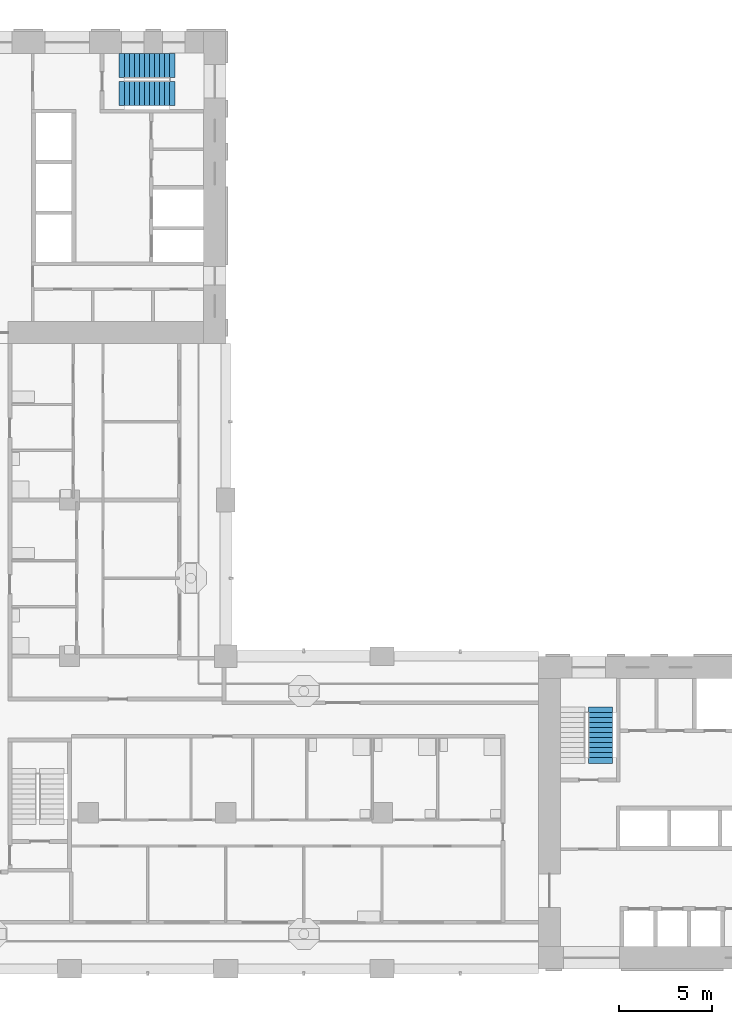
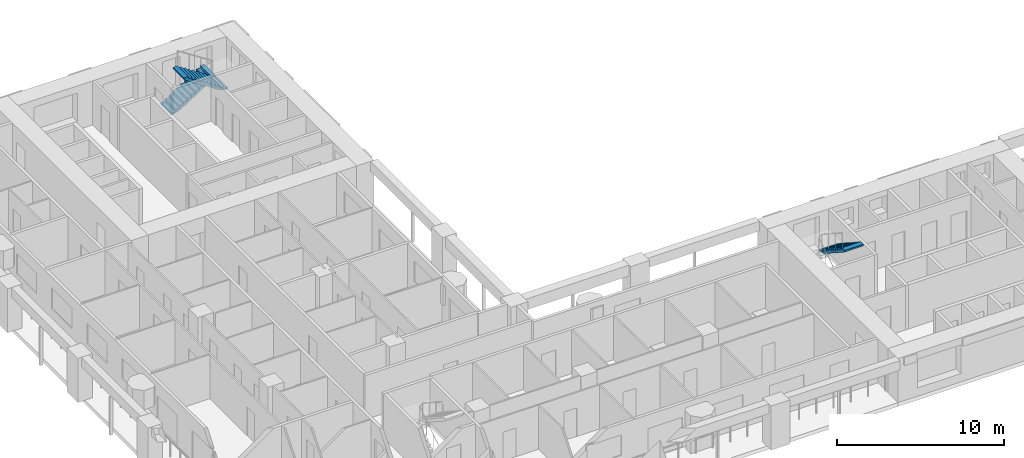
# One storey, part 9 of 19: 3 stair flights, 2 elements without a shape of their own.
"""IFC4 building model written with IfcOpenShell, lengths in metres."""

import ifcopenshell
import ifcopenshell.guid

model = None  # the IFC model being written
_history = None  # IfcOwnerHistory: only IFC2X3 demands one
_inside = {}  # id of a spatial element -> (the spatial element, [elements in it])
_under = {}  # id of a project, library or spatial element -> (it, [spatial elements below it])
_declared = {}  # id of a project -> (the project, [libraries it declares])
_typed = {}  # id of a type object -> (the type object, [elements of that type])
_made_of = {}  # id of a material, layer set ... -> (it, [elements and type objects made of it])


def new_model(schema):
    """Start an empty IFC model of exactly this schema.

    Asked for "IFC4X3", IfcOpenShell would pick the latest addendum, in which some entities
    have other attributes; the version numbers below select the first issue.
    IFC2X3 requires an IfcOwnerHistory on every rooted entity: one is made here for all.
    """
    global model, _history
    if schema == "IFC4X3":
        model = ifcopenshell.file(schema_version=(4, 3, 0, 0))
    else:
        model = ifcopenshell.file(schema=schema)
    _inside.clear()
    _under.clear()
    _declared.clear()
    _typed.clear()
    _made_of.clear()
    _history = None
    if model.schema == "IFC2X3":
        org = make("IfcOrganization", Name="unknown")
        user = make(
            "IfcPersonAndOrganization",
            ThePerson=make("IfcPerson", FamilyName="unknown"),
            TheOrganization=org,
        )
        app = make(
            "IfcApplication",
            ApplicationDeveloper=org,
            Version="unknown",
            ApplicationFullName="unknown",
            ApplicationIdentifier="unknown",
        )
        _history = make(
            "IfcOwnerHistory",
            OwningUser=user,
            OwningApplication=app,
            ChangeAction="ADDED",
            CreationDate=0,
        )
    return model


def make(cls, **values):
    """One entity of the class cls with the attributes given. An attribute that is None is left unset."""
    return model.create_entity(
        cls, **{name: value for name, value in values.items() if value is not None}
    )


def rooted(cls, **values):
    """An entity with a GlobalId (a new one), such as an element, a storey or a relation."""
    return make(cls, GlobalId=ifcopenshell.guid.new(), OwnerHistory=_history, **values)


def si_unit(unit_type, name, prefix=None):
    """IfcSIUnit, for example si_unit("LENGTHUNIT", "METRE", prefix="MILLI")."""
    return make("IfcSIUnit", UnitType=unit_type, Prefix=prefix, Name=name)


def assignment(units):
    """IfcUnitAssignment: the units of a project."""
    return None if units is None else make("IfcUnitAssignment", Units=units)


def point(xyz):
    """IfcCartesianPoint."""
    return None if xyz is None else make("IfcCartesianPoint", Coordinates=xyz)


def direction(xyz):
    """IfcDirection."""
    return None if xyz is None else make("IfcDirection", DirectionRatios=xyz)


def frame(location, z_axis=None, x_axis=None):
    """IfcAxis2Placement3D, a coordinate frame: its origin and axes. An axis left out is left unset."""
    return make(
        "IfcAxis2Placement3D",
        Location=point(location),
        Axis=direction(z_axis),
        RefDirection=direction(x_axis),
    )


def origin():
    """The frame at (0, 0, 0) with its axes left unset."""
    return frame((0.0, 0.0, 0.0))


def place(relative_to, where):
    """IfcLocalPlacement: puts the frame where relative to a parent placement (None: the world)."""
    return make(
        "IfcLocalPlacement", PlacementRelTo=relative_to, RelativePlacement=where
    )


def context(
    kind, dimensions, precision=None, world=None, true_north=None, identifier=None
):
    """IfcGeometricRepresentationContext, for example the 3D "Model" context."""
    return make(
        "IfcGeometricRepresentationContext",
        ContextIdentifier=identifier,
        ContextType=kind,
        CoordinateSpaceDimension=dimensions,
        Precision=precision,
        WorldCoordinateSystem=world,
        TrueNorth=true_north,
    )


def subcontext(parent, identifier, kind, view, scale=None):
    """IfcGeometricRepresentationSubContext, for example "Body" below "Model"."""
    return make(
        "IfcGeometricRepresentationSubContext",
        ContextIdentifier=identifier,
        ContextType=kind,
        ParentContext=parent,
        TargetScale=scale,
        TargetView=view,
    )


def project(units=None, contexts=None):
    """IfcProject with its units and contexts."""
    return rooted(
        "IfcProject",
        Name="project",
        RepresentationContexts=contexts,
        UnitsInContext=assignment(units),
    )


def spatial(cls, under=None, at=None, **own):
    """A site, building, storey or space (cls), placed at a placement, below another one or the project."""
    s = rooted(cls, ObjectPlacement=at, **own)
    if under is not None:
        _under.setdefault(under.id(), (under, []))[1].append(s)
    return s


def polyline(points):
    """IfcPolyline through the points."""
    return make("IfcPolyline", Points=[point(p) for p in points])


def outline(outer, holes=None, kind="AREA"):
    """IfcArbitraryClosedProfileDef: a profile drawn as a closed curve; with holes, ...WithVoids."""
    if holes is None:
        return make("IfcArbitraryClosedProfileDef", ProfileType=kind, OuterCurve=outer)
    return make(
        "IfcArbitraryProfileDefWithVoids",
        ProfileType=kind,
        OuterCurve=outer,
        InnerCurves=holes,
    )


def extrude(swept, where, along, depth):
    """IfcExtrudedAreaSolid: the profile swept, set in the frame where, extruded along a direction by depth."""
    return make(
        "IfcExtrudedAreaSolid",
        SweptArea=swept,
        Position=where,
        ExtrudedDirection=direction(along),
        Depth=depth,
    )


def shape(context_of_items, identifier, shape_type, items):
    """IfcShapeRepresentation: the items that make up one representation, for example the "Body"."""
    return make(
        "IfcShapeRepresentation",
        ContextOfItems=context_of_items,
        RepresentationIdentifier=identifier,
        RepresentationType=shape_type,
        Items=items,
    )


def material(Name=None, Category=None):
    """IfcMaterial."""
    return make("IfcMaterial", Name=Name, Category=Category)


def made_of(thing, what):
    """Note that an element or type object is made of a material, layer set ...; save() writes the relation."""
    if what is not None:
        _made_of.setdefault(what.id(), (what, []))[1].append(thing)
    return thing


def type_object(cls, material=None, **own):
    """A type object (cls), such as IfcWallType, which elements share."""
    return made_of(rooted(cls, **own), material)


def element(
    cls,
    number,
    at=None,
    inside=None,
    cuts=None,
    type_object=None,
    material=None,
    context=None,
    identifier="Body",
    shape_type=None,
    held_by="IfcProductDefinitionShape",
    body=None,
    shapes=None,
    **own,
):
    """One element of the class cls, such as IfcWall. Its Tag is "e" and its number.

    at: its placement. inside: the storey or other place that contains it. cuts: it is an
    opening in that element (IfcRelVoidsElement). A single representation is given by context,
    identifier, shape_type and body (its items); several are given by shapes. held_by: the class
    of the entity that holds the representations. save() writes the other relations.
    """
    e = rooted(cls, Tag="e%d" % number, ObjectPlacement=at, **own)
    if body is not None:
        shapes = [shape(context, identifier, shape_type, body)]
    if shapes is not None:
        e.Representation = make(held_by, Representations=shapes)
    if inside is not None:
        _inside.setdefault(inside.id(), (inside, []))[1].append(e)
    if cuts is not None:
        rooted(
            "IfcRelVoidsElement", RelatingBuildingElement=cuts, RelatedOpeningElement=e
        )
    if type_object is not None:
        _typed.setdefault(type_object.id(), (type_object, []))[1].append(e)
    return made_of(e, material)


def aggregate(whole, parts):
    """IfcRelAggregates: a whole, such as a stair, and the parts it consists of."""
    return rooted("IfcRelAggregates", RelatingObject=whole, RelatedObjects=parts)


def save(model, path):
    """Write the relations noted so far, then the file.

    IfcRelAggregates (storeys below a building ...), IfcRelContainedInSpatialStructure (elements
    in a storey), IfcRelDefinesByType, IfcRelAssociatesMaterial and IfcRelDeclares: one each for
    every whole, place, type object, material and project.
    """
    for whole, parts in _under.values():
        aggregate(whole, parts)
    for where, things in _inside.values():
        rooted(
            "IfcRelContainedInSpatialStructure",
            RelatedElements=things,
            RelatingStructure=where,
        )
    for kind, things in _typed.values():
        rooted("IfcRelDefinesByType", RelatedObjects=things, RelatingType=kind)
    for what, things in _made_of.values():
        rooted("IfcRelAssociatesMaterial", RelatedObjects=things, RelatingMaterial=what)
    for by, libraries in _declared.values():
        rooted("IfcRelDeclares", RelatingContext=by, RelatedDefinitions=libraries)
    model.write(path)


model = new_model("IFC4")

# Units and contexts
model_context = context("Model", 3, precision=1e-05, world=origin(), true_north=direction((0.0, 1.0)))
body_context = subcontext(model_context, "Body", "Model", "MODEL_VIEW")
ifc_project = project(units=[si_unit("LENGTHUNIT", "METRE"), si_unit("AREAUNIT", "SQUARE_METRE"), si_unit("VOLUMEUNIT", "CUBIC_METRE"), si_unit("PLANEANGLEUNIT", "RADIAN"), si_unit("MASSUNIT", "GRAM", prefix="KILO")], contexts=[model_context])

# Site, building, storey
site_placement = place(None, origin())
site = spatial("IfcSite", under=ifc_project, at=site_placement, CompositionType="ELEMENT")
building_placement = place(site_placement, origin())
building = spatial("IfcBuilding", under=site, at=building_placement, Name="Vermilion Gate Residences", CompositionType="ELEMENT")
storey_placement = place(building_placement, frame((0.0, 0.0, 119.699951171875)))
storey = spatial("IfcBuildingStorey", under=building, at=storey_placement, Name="L30", CompositionType="ELEMENT", Elevation=119.699951171875)

# Stair, stair flight
ifc_material_1 = material(Name="Concrete C50", Category="concrete")
stair_type = type_object("IfcStairType", Name="SPECIAL ESCAPE STAIR 1300", PredefinedType="HALF_TURN_STAIR", material=ifc_material_1)
stair_1_placement = place(storey_placement, origin())
stair_1 = element("IfcStair", 1, at=stair_1_placement, inside=storey, type_object=stair_type, Name="Special escape stair STA1-30", PredefinedType="HALF_TURN_STAIR")
ifc_material_2 = material(Name="Concrete C50", Category="concrete")
stair_flight_type = type_object("IfcStairFlightType", Name="STAIR FLIGHT 1300 RC C50", PredefinedType="STRAIGHT", material=ifc_material_2)
stair_flight_1_placement = place(storey_placement, frame((45.35009765625, 22.179931640625, 1.75), z_axis=(0.0, 0.0, 1.0), x_axis=(0.0, -1.0, 0.0)))
stair_flight_1 = element("IfcStairFlight", 2, at=stair_flight_1_placement, type_object=stair_flight_type, Name="STA1-30 flight 2", NumberOfRisers=10, NumberOfTreads=9, PredefinedType="STRAIGHT", RiserHeight=0.175, TreadLength=0.27, context=body_context, shape_type="SweptSolid", body=[
    extrude(outline(polyline([(-0.300048828125, -0.14990234375), (-0.300048828125, -0.030029296875), (0.0, 0.0), (0.0, 0.175048828125), (0.27001953125, 0.175048828125), (0.27001953125, 0.35009765625), (0.5400390625, 0.35009765625), (0.5400390625, 0.52490234375), (0.81005859375, 0.52490234375), (0.81005859375, 0.699951171875), (1.080078125, 0.699951171875), (1.080078125, 0.875), (1.35009765625, 0.875), (1.35009765625, 1.050048828125), (1.6201171875, 1.050048828125), (1.6201171875, 1.22509765625), (1.889892578125, 1.22509765625), (1.889892578125, 1.39990234375), (2.159912109375, 1.39990234375), (2.159912109375, 1.574951171875), (2.429931640625, 1.574951171875), (2.429931640625, 1.75), (2.72998046875, 1.719970703125), (2.72998046875, 1.60009765625), (2.429931640625, 1.396484375), (0.275634765625, 0.0), (-0.300048828125, -0.14990234375)])), frame((0.0, 0.64990234375, 0.0), z_axis=(0.0, -1.0, 0.0), x_axis=(1.0, 0.0, 0.0)), (0.0, 0.0, 1.0), 1.300048828125),
])
aggregate(stair_1, [stair_flight_1])

# Stair, stair flights
stair_2_placement = place(storey_placement, origin())
stair_2 = element("IfcStair", 3, at=stair_2_placement, inside=storey, type_object=stair_type, Name="Special escape stair STB1-30", PredefinedType="HALF_TURN_STAIR")
stair_flight_2_placement = place(storey_placement, frame((19.75, 56.949951171875, 0.0), z_axis=(0.0, 0.0, 1.0), x_axis=(1.0, 0.0, 0.0)))
stair_flight_2 = element("IfcStairFlight", 4, at=stair_flight_2_placement, type_object=stair_flight_type, Name="STB1-30 flight 1", NumberOfRisers=10, NumberOfTreads=9, PredefinedType="STRAIGHT", RiserHeight=0.175, TreadLength=0.27, context=body_context, shape_type="SweptSolid", body=[
    extrude(outline(polyline([(-0.300048828125, -0.14990234375), (-0.300048828125, -0.030029296875), (0.0, 0.0), (0.0, 0.175048828125), (0.27001953125, 0.175048828125), (0.27001953125, 0.35009765625), (0.5400390625, 0.35009765625), (0.5400390625, 0.52490234375), (0.81005859375, 0.52490234375), (0.81005859375, 0.699951171875), (1.080078125, 0.699951171875), (1.080078125, 0.875), (1.35009765625, 0.875), (1.35009765625, 1.050048828125), (1.6201171875, 1.050048828125), (1.6201171875, 1.22509765625), (1.889892578125, 1.22509765625), (1.889892578125, 1.39990234375), (2.159912109375, 1.39990234375), (2.159912109375, 1.574951171875), (2.429931640625, 1.574951171875), (2.429931640625, 1.75), (2.72998046875, 1.719970703125), (2.72998046875, 1.60009765625), (2.429931640625, 1.396484375), (0.275634765625, 0.0), (-0.300048828125, -0.14990234375)])), frame((0.0, 0.64990234375, 0.0), z_axis=(0.0, -1.0, 0.0), x_axis=(1.0, 0.0, 0.0)), (0.0, 0.0, 1.0), 1.300048828125),
])
stair_flight_3_placement = place(storey_placement, frame((22.179931640625, 55.449951171875, 1.75), z_axis=(0.0, 0.0, 1.0), x_axis=(-1.0, 0.0, 0.0)))
stair_flight_3 = element("IfcStairFlight", 5, at=stair_flight_3_placement, type_object=stair_flight_type, Name="STB1-30 flight 2", NumberOfRisers=10, NumberOfTreads=9, PredefinedType="STRAIGHT", RiserHeight=0.175, TreadLength=0.27, context=body_context, shape_type="SweptSolid", body=[
    extrude(outline(polyline([(-0.300048828125, -0.14990234375), (-0.300048828125, -0.030029296875), (0.0, 0.0), (0.0, 0.175048828125), (0.27001953125, 0.175048828125), (0.27001953125, 0.35009765625), (0.5400390625, 0.35009765625), (0.5400390625, 0.52490234375), (0.81005859375, 0.52490234375), (0.81005859375, 0.699951171875), (1.080078125, 0.699951171875), (1.080078125, 0.875), (1.35009765625, 0.875), (1.35009765625, 1.050048828125), (1.6201171875, 1.050048828125), (1.6201171875, 1.22509765625), (1.889892578125, 1.22509765625), (1.889892578125, 1.39990234375), (2.159912109375, 1.39990234375), (2.159912109375, 1.574951171875), (2.429931640625, 1.574951171875), (2.429931640625, 1.75), (2.72998046875, 1.719970703125), (2.72998046875, 1.60009765625), (2.429931640625, 1.396484375), (0.275634765625, 0.0), (-0.300048828125, -0.14990234375)])), frame((0.0, 0.64990234375, 0.0), z_axis=(0.0, -1.0, 0.0), x_axis=(1.0, 0.0, 0.0)), (0.0, 0.0, 1.0), 1.300048828125),
])
aggregate(stair_2, [stair_flight_2, stair_flight_3])

save(model, "model.ifc")
